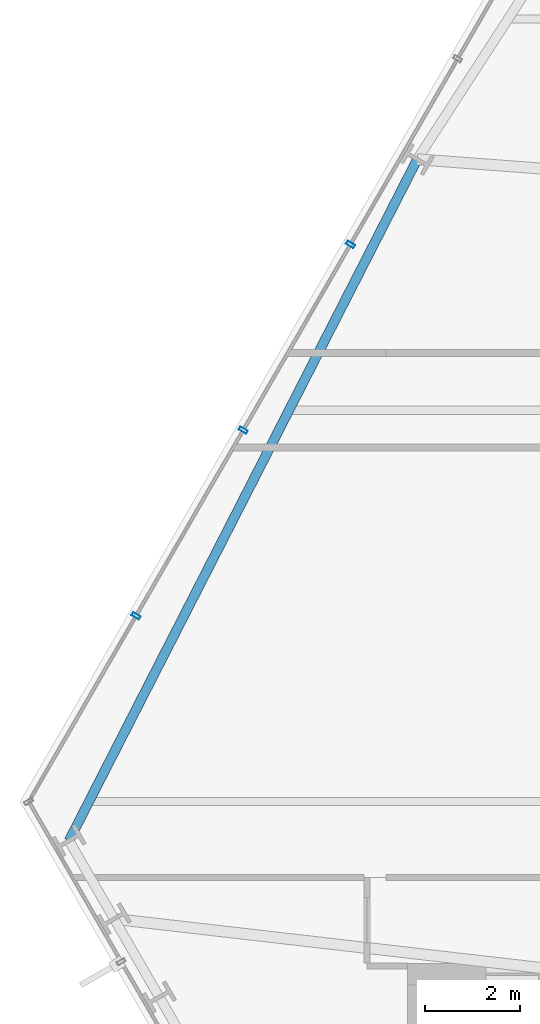
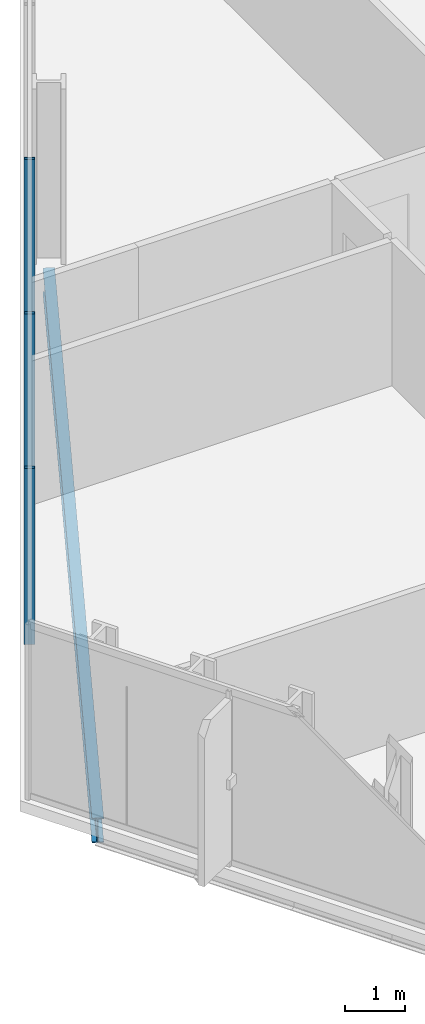
# One storey, part 11 of 32: 3 members, 1 beam, 1 element without a shape of its own.
"""IFC4 building model written with IfcOpenShell, lengths in metres."""

from ifc_helpers import new_model, si_unit, direction, frame, origin, origin_2d, place, context, subcontext, project, spatial, hollow_rectangle, i_section, extrude, material, layer, layer_set, material_profile, profile_set, type_object, element, aggregate, save


model = new_model("IFC4")

# Units and contexts
model_context = context("Model", 3, precision=1e-05, world=origin(), true_north=direction((0.0, 1.0)))
body_context = subcontext(model_context, "Body", "Model", "MODEL_VIEW")
ifc_project = project(units=[si_unit("LENGTHUNIT", "METRE"), si_unit("AREAUNIT", "SQUARE_METRE"), si_unit("VOLUMEUNIT", "CUBIC_METRE"), si_unit("PLANEANGLEUNIT", "RADIAN"), si_unit("MASSUNIT", "GRAM", prefix="KILO")], contexts=[model_context])

# Site, building, storey
site_placement = place(None, origin())
site = spatial("IfcSite", under=ifc_project, at=site_placement, CompositionType="ELEMENT")
building_placement = place(site_placement, origin())
building = spatial("IfcBuilding", under=site, at=building_placement, Name="Ndaravel Arena Tower", CompositionType="ELEMENT")
storey_placement = place(building_placement, frame((0.0, 0.0, 62.60009765625)))
storey = spatial("IfcBuildingStorey", under=building, at=storey_placement, Name="L13", CompositionType="ELEMENT", Elevation=62.60009765625)

# Beam
ifc_material_1 = material(Name="Steel S355", Category="steel")
ifc_material_profile_1 = material_profile(ifc_material_1, i_section(OverallWidth=0.199951171875, OverallDepth=0.5, WebThickness=0.01025390625, FlangeThickness=0.01611328125, FilletRadius=0.02099609375, at=origin_2d()), Name="IPE 500")
ifc_profile_set_1 = profile_set([ifc_material_profile_1], Name="Steel S355")
beam_type = type_object("IfcBeamType", Name="BM-SPAN-IPE500", PredefinedType="SPANDREL", material=ifc_profile_set_1)
beam_placement = place(storey_placement, frame((26.653564453125, 32.060791015625, -0.47021484375), z_axis=(-0.455114813305, -0.890432763722, 0.0), x_axis=(0.890432763722, -0.455114813305, 0.0)))
element("IfcBeam", 1, at=beam_placement, inside=storey, type_object=beam_type, Name="L13 Perimeter Spandrel Beam SP-19", PredefinedType="SPANDREL", context=body_context, shape_type="SweptSolid", body=[
    extrude(i_section(OverallWidth=0.199951171875, OverallDepth=0.5, WebThickness=0.01025390625, FlangeThickness=0.01611328125, FilletRadius=0.02099609375, at=origin_2d()), origin(), (0.0, 0.0, 1.0), 16.044189453125),
])

# Curtain wall, members
ifc_material_2 = material(Name="Aluminium", Category="aluminium")
ifc_layer = layer(ifc_material_2, 0.179931640625)
ifc_layer_set = layer_set([ifc_layer], Name="Aluminium")
curtain_wall_type = type_object("IfcCurtainWallType", Name="CW-SYS-03", PredefinedType="NOTDEFINED", material=ifc_layer_set)
curtain_wall_placement = place(storey_placement, origin())
curtain_wall = element("IfcCurtainWall", 2, at=curtain_wall_placement, inside=storey, type_object=curtain_wall_type, Name="L13 Faceted Crystal Curtain Wall CW-L13-E05", PredefinedType="NOTDEFINED")
ifc_material_3 = material(Name="Aluminium", Category="aluminium")
ifc_material_profile_2 = material_profile(ifc_material_3, hollow_rectangle(XDim=0.074951171875, YDim=0.179931640625, WallThickness=0.00390625, at=origin_2d()), Name="CW MULLION 75x180x4")
ifc_profile_set_2 = profile_set([ifc_material_profile_2], Name="Aluminium")
member_type = type_object("IfcMemberType", Name="MEM-CW-MUL180", PredefinedType="MULLION", material=ifc_profile_set_2)
member_1_placement = place(storey_placement, frame((25.25244140625, 30.274169921875, 0.0), z_axis=(0.0, 0.0, 1.0), x_axis=(-0.5, -0.866025403784, 0.0)))
member_1 = element("IfcMember", 3, at=member_1_placement, type_object=member_type, Name="CW-L13-E05 Mullion 04", PredefinedType="MULLION", context=body_context, shape_type="SweptSolid", body=[
    extrude(hollow_rectangle(XDim=0.074951171875, YDim=0.179931640625, WallThickness=0.00390625, at=origin_2d()), origin(), (0.0, 0.0, 1.0), 3.579833984375),
])
member_2_placement = place(storey_placement, frame((23.004638671875, 26.380859375, 0.0), z_axis=(0.0, 0.0, 1.0), x_axis=(-0.5, -0.866025403784, 0.0)))
member_2 = element("IfcMember", 4, at=member_2_placement, type_object=member_type, Name="CW-L13-E05 Mullion 05", PredefinedType="MULLION", context=body_context, shape_type="SweptSolid", body=[
    extrude(hollow_rectangle(XDim=0.074951171875, YDim=0.179931640625, WallThickness=0.00390625, at=origin_2d()), origin(), (0.0, 0.0, 1.0), 3.579833984375),
])
member_3_placement = place(storey_placement, frame((20.7568359375, 22.4873046875, 0.0), z_axis=(0.0, 0.0, 1.0), x_axis=(-0.5, -0.866025403784, 0.0)))
member_3 = element("IfcMember", 5, at=member_3_placement, type_object=member_type, Name="CW-L13-E05 Mullion 06", PredefinedType="MULLION", context=body_context, shape_type="SweptSolid", body=[
    extrude(hollow_rectangle(XDim=0.074951171875, YDim=0.179931640625, WallThickness=0.00390625, at=origin_2d()), origin(), (0.0, 0.0, 1.0), 3.579833984375),
])
aggregate(curtain_wall, [member_1, member_2, member_3])

save(model, "model.ifc")
